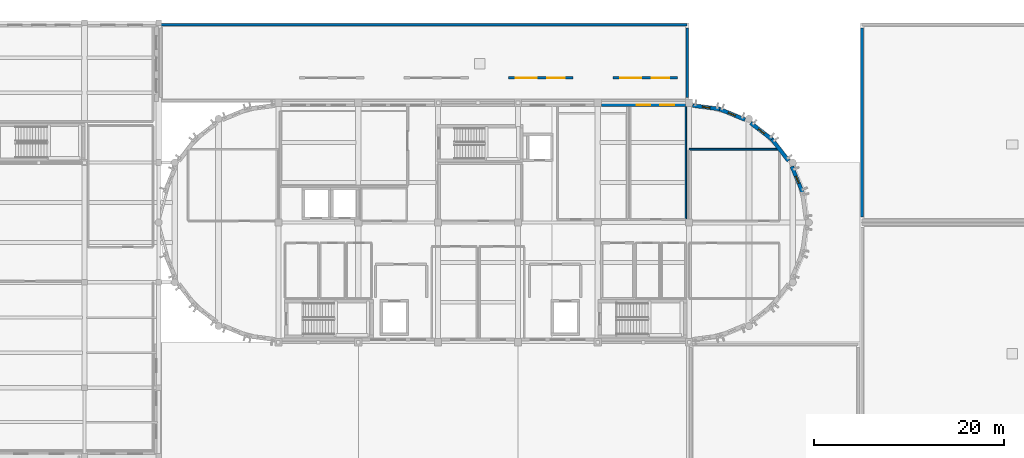
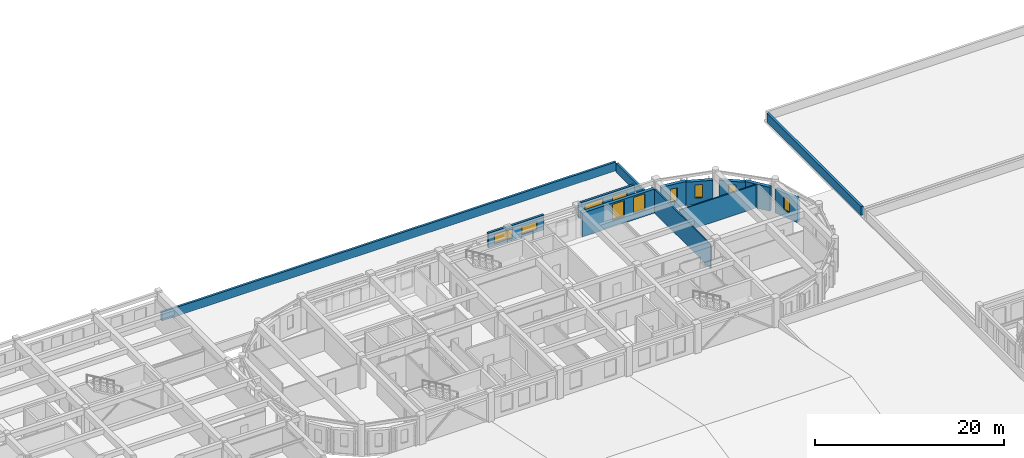
# One storey, part 25 of 46: 13 walls, 10 windows, 10 openings.
"""IFC4 building model written with IfcOpenShell, lengths in metres."""

from ifc_helpers import new_model, si_unit, direction, frame, frame_2d, origin, place, context, subcontext, project, spatial, rectangle, extrude, material, layer, layer_set, type_object, element, fill, save


model = new_model("IFC4")

# Units and contexts
model_context = context("Model", 3, precision=1e-05, world=origin(), true_north=direction((0.0, 1.0)))
body_context = subcontext(model_context, "Body", "Model", "MODEL_VIEW")
ifc_project = project(units=[si_unit("LENGTHUNIT", "METRE"), si_unit("AREAUNIT", "SQUARE_METRE"), si_unit("VOLUMEUNIT", "CUBIC_METRE"), si_unit("PLANEANGLEUNIT", "RADIAN"), si_unit("MASSUNIT", "GRAM", prefix="KILO")], contexts=[model_context])

# Site, building, storey
site_placement = place(None, origin())
site = spatial("IfcSite", under=ifc_project, at=site_placement, CompositionType="ELEMENT")
building_placement = place(site_placement, origin())
building = spatial("IfcBuilding", under=site, at=building_placement, Name="Tarnavel Promenade Courthouse", CompositionType="ELEMENT")
storey_placement = place(building_placement, frame((0.0, 0.0, 14.39990234375)))
storey = spatial("IfcBuildingStorey", under=building, at=storey_placement, Name="L04", CompositionType="ELEMENT", Elevation=14.39990234375)

# Walls
ifc_material_1 = material(Name="Acoustic Insulated Gypsum Stud Partition", Category="gypsum")
ifc_layer_1 = layer(ifc_material_1, 0.1650390625)
ifc_layer_set_1 = layer_set([ifc_layer_1], Name="Acoustic Insulated Gypsum Stud Partition")
wall_type_1 = type_object("IfcWallType", Name="Acoustic Insulated Gypsum Stud Partition WL-CHM-165 (165 mm)", PredefinedType="PARTITIONING", material=ifc_layer_set_1)
wall_1_placement = place(storey_placement, frame((101.659912109375, 103.98095703125, 0.0), z_axis=(0.0, 0.0, 1.0), x_axis=(0.0, -1.0, 0.0)))
element("IfcWall", 1, at=wall_1_placement, inside=storey, type_object=wall_type_1, Name="L04 Jury Room L04 Partition 0637", PredefinedType="PARTITIONING", context=body_context, shape_type="SweptSolid", body=[
    extrude(rectangle(XDim=11.79833984375, YDim=0.1650390625, at=frame_2d((5.899169921875, 0.0))), origin(), (0.0, 0.0, 1.0), 3.090087890625),
])
wall_2_placement = place(storey_placement, frame((102.0, 99.5, 0.0), z_axis=(0.0, 0.0, 1.0), x_axis=(1.0, 0.0, 0.0)))
element("IfcWall", 2, at=wall_2_placement, inside=storey, type_object=wall_type_1, Name="L04 L04 East Drum Rotunda Jury North Partition 0648", PredefinedType="PARTITIONING", context=body_context, shape_type="SweptSolid", body=[
    extrude(rectangle(XDim=9.5, YDim=0.1650390625, at=frame_2d((4.75, 0.0))), origin(), (0.0, 0.0, 1.0), 2.989990234375),
])
ifc_material_2 = material(Name="Concrete C35/45", Category="concrete")
ifc_layer_2 = layer(ifc_material_2, 0.264892578125)
ifc_layer_set_2 = layer_set([ifc_layer_2], Name="Concrete C35/45")
wall_type_2 = type_object("IfcWallType", Name="Concrete C35/45 WL-PAR-265 (265 mm)", PredefinedType="PARAPET", material=ifc_layer_set_2)
wall_3_placement = place(storey_placement, frame((46.39990234375, 112.60009765625, 0.235107421875), z_axis=(0.0, 0.0, 1.0), x_axis=(1.0, 0.0, 0.0)))
element("IfcWall", 3, at=wall_3_placement, inside=storey, type_object=wall_type_2, Name="L04 North Foyer Roof Parapet North 0462", PredefinedType="PARAPET", context=body_context, shape_type="SweptSolid", body=[
    extrude(rectangle(XDim=55.400146484375, YDim=0.264892578125, at=frame_2d((27.7001953125, 0.0))), origin(), (0.0, 0.0, 1.0), 1.14501953125),
])
wall_4_placement = place(storey_placement, frame((101.800048828125, 112.25, 0.235107421875), z_axis=(0.0, 0.0, 1.0), x_axis=(0.0, -1.0, 0.0)))
element("IfcWall", 4, at=wall_4_placement, inside=storey, type_object=wall_type_2, Name="L04 North Foyer Roof Parapet East 0465", PredefinedType="PARAPET", context=body_context, shape_type="SweptSolid", body=[
    extrude(rectangle(XDim=7.300048828125, YDim=0.264892578125, at=frame_2d((3.64990234375, 0.0))), origin(), (0.0, 0.0, 1.0), 1.14501953125),
])

# Wall, openings, windows
wall_5_placement = place(storey_placement, frame((83.0, 107.0, 0.235107421875), z_axis=(0.0, 0.0, 1.0), x_axis=(1.0, 0.0, 0.0)))
wall_5 = element("IfcWall", 5, at=wall_5_placement, inside=storey, type_object=wall_type_2, Name="L04 North Foyer Skylight Lantern Curb 3 0480", PredefinedType="PARAPET", context=body_context, shape_type="SweptSolid", body=[
    extrude(rectangle(XDim=6.800048828125, YDim=0.264892578125, at=frame_2d((3.39990234375, 0.0))), origin(), (0.0, 0.0, 1.0), 1.9150390625),
])
opening_1_placement = place(wall_5_placement, frame((0.75, 0.0, 0.300048828125)))
opening_1 = element("IfcOpeningElement", 6, at=opening_1_placement, cuts=wall_5, Name="Opening SK-01", PredefinedType="OPENING", context=body_context, shape_type="SweptSolid", body=[
    extrude(rectangle(XDim=2.199951171875, YDim=1.199951171875, at=frame_2d((1.10009765625, 0.60009765625))), frame((0.0, 0.142333984375, 0.0), z_axis=(0.0, -1.0, 0.0), x_axis=(1.0, 0.0, 0.0)), (0.0, 0.0, 1.0), 0.284912109375),
])
opening_2_placement = place(wall_5_placement, frame((4.10009765625, 0.0, 0.300048828125)))
opening_2 = element("IfcOpeningElement", 7, at=opening_2_placement, cuts=wall_5, Name="Opening SK-02", PredefinedType="OPENING", context=body_context, shape_type="SweptSolid", body=[
    extrude(rectangle(XDim=1.800048828125, YDim=1.050048828125, at=frame_2d((0.89990234375, 0.52490234375))), frame((0.0, 0.142333984375, 0.0), z_axis=(0.0, -1.0, 0.0), x_axis=(1.0, 0.0, 0.0)), (0.0, 0.0, 1.0), 0.284912109375),
])
ifc_material_3 = material(Name="Triple Low-E Glazed Bronze-Clad Window Assembly")
window_type_1 = type_object("IfcWindowType", Name="Triple-Glazed Bronze-Clad Timber-Aluminium SKY-LAN-1800x1050", PartitioningType="SINGLE_PANEL", PredefinedType="SKYLIGHT", material=ifc_material_3)
window_1_placement = place(opening_2_placement, origin())
window_1 = element("IfcWindow", 8, at=window_1_placement, inside=storey, type_object=window_type_1, Name="Daylight Lantern Skylight 3B", OverallHeight=1.050048828125, OverallWidth=1.800048828125, PartitioningType="SINGLE_PANEL", PredefinedType="SKYLIGHT", context=body_context, shape_type="SweptSolid", body=[
    extrude(rectangle(XDim=1.800048828125, YDim=1.050048828125, at=frame_2d((0.89990234375, 0.52490234375))), frame((0.0, 0.030029296875, 0.0), z_axis=(0.0, -1.0, 0.0), x_axis=(1.0, 0.0, 0.0)), (0.0, 0.0, 1.0), 0.06005859375),
])
fill(opening_2, window_1)
window_type_2 = type_object("IfcWindowType", Name="Triple-Glazed Bronze-Clad Timber-Aluminium SKY-LAN-2200x1200", PartitioningType="SINGLE_PANEL", PredefinedType="SKYLIGHT", material=ifc_material_3)
window_2_placement = place(opening_1_placement, origin())
window_2 = element("IfcWindow", 9, at=window_2_placement, inside=storey, type_object=window_type_2, Name="Daylight Lantern Skylight 3A", OverallHeight=1.199951171875, OverallWidth=2.199951171875, PartitioningType="SINGLE_PANEL", PredefinedType="SKYLIGHT", context=body_context, shape_type="SweptSolid", body=[
    extrude(rectangle(XDim=2.199951171875, YDim=1.199951171875, at=frame_2d((1.10009765625, 0.60009765625))), frame((0.0, 0.030029296875, 0.0), z_axis=(0.0, -1.0, 0.0), x_axis=(1.0, 0.0, 0.0)), (0.0, 0.0, 1.0), 0.06005859375),
])
fill(opening_1, window_2)

wall_6_placement = place(storey_placement, frame((94.0, 107.0, 0.235107421875), z_axis=(0.0, 0.0, 1.0), x_axis=(1.0, 0.0, 0.0)))
wall_6 = element("IfcWall", 10, at=wall_6_placement, inside=storey, type_object=wall_type_2, Name="L04 North Foyer Skylight Lantern Curb 4 0481", PredefinedType="PARAPET", context=body_context, shape_type="SweptSolid", body=[
    extrude(rectangle(XDim=6.800048828125, YDim=0.264892578125, at=frame_2d((3.39990234375, 0.0))), origin(), (0.0, 0.0, 1.0), 1.9150390625),
])
opening_3_placement = place(wall_6_placement, frame((0.75, 0.0, 0.300048828125)))
opening_3 = element("IfcOpeningElement", 11, at=opening_3_placement, cuts=wall_6, Name="Opening SK-01", PredefinedType="OPENING", context=body_context, shape_type="SweptSolid", body=[
    extrude(rectangle(XDim=2.199951171875, YDim=1.199951171875, at=frame_2d((1.10009765625, 0.60009765625))), frame((0.0, 0.142333984375, 0.0), z_axis=(0.0, -1.0, 0.0), x_axis=(1.0, 0.0, 0.0)), (0.0, 0.0, 1.0), 0.284912109375),
])
opening_4_placement = place(wall_6_placement, frame((4.10009765625, 0.0, 0.300048828125)))
opening_4 = element("IfcOpeningElement", 12, at=opening_4_placement, cuts=wall_6, Name="Opening SK-02", PredefinedType="OPENING", context=body_context, shape_type="SweptSolid", body=[
    extrude(rectangle(XDim=1.800048828125, YDim=1.050048828125, at=frame_2d((0.89990234375, 0.52490234375))), frame((0.0, 0.142333984375, 0.0), z_axis=(0.0, -1.0, 0.0), x_axis=(1.0, 0.0, 0.0)), (0.0, 0.0, 1.0), 0.284912109375),
])
window_3_placement = place(opening_4_placement, origin())
window_3 = element("IfcWindow", 13, at=window_3_placement, inside=storey, type_object=window_type_1, Name="Daylight Lantern Skylight 4B", OverallHeight=1.050048828125, OverallWidth=1.800048828125, PartitioningType="SINGLE_PANEL", PredefinedType="SKYLIGHT", context=body_context, shape_type="SweptSolid", body=[
    extrude(rectangle(XDim=1.800048828125, YDim=1.050048828125, at=frame_2d((0.89990234375, 0.52490234375))), frame((0.0, 0.030029296875, 0.0), z_axis=(0.0, -1.0, 0.0), x_axis=(1.0, 0.0, 0.0)), (0.0, 0.0, 1.0), 0.06005859375),
])
fill(opening_4, window_3)
window_4_placement = place(opening_3_placement, origin())
window_4 = element("IfcWindow", 14, at=window_4_placement, inside=storey, type_object=window_type_2, Name="Daylight Lantern Skylight 4A", OverallHeight=1.199951171875, OverallWidth=2.199951171875, PartitioningType="SINGLE_PANEL", PredefinedType="SKYLIGHT", context=body_context, shape_type="SweptSolid", body=[
    extrude(rectangle(XDim=2.199951171875, YDim=1.199951171875, at=frame_2d((1.10009765625, 0.60009765625))), frame((0.0, 0.030029296875, 0.0), z_axis=(0.0, -1.0, 0.0), x_axis=(1.0, 0.0, 0.0)), (0.0, 0.0, 1.0), 0.06005859375),
])
fill(opening_3, window_4)

# Wall
ifc_layer_3 = layer(ifc_material_2, 0.2900390625)
ifc_layer_set_3 = layer_set([ifc_layer_3], Name="Concrete C35/45")
wall_type_3 = type_object("IfcWallType", Name="Concrete C35/45 WL-PAR-290 (290 mm)", PredefinedType="PARAPET", material=ifc_layer_set_3)
wall_7_placement = place(storey_placement, frame((120.199951171875, 92.35009765625, 0.26513671875), z_axis=(0.0, 0.0, 1.0), x_axis=(0.0, 1.0, 0.0)))
element("IfcWall", 15, at=wall_7_placement, inside=storey, type_object=wall_type_3, Name="L04 Custody North Roof Parapet West 0460", PredefinedType="PARAPET", context=body_context, shape_type="SweptSolid", body=[
    extrude(rectangle(XDim=19.89990234375, YDim=0.2900390625, at=frame_2d((9.949951171875, 0.0))), origin(), (0.0, 0.0, 1.0), 1.135009765625),
])

# Wall, openings, windows
ifc_material_4 = material(Name="Cream Brick Insulated Cavity Facade Assembly", Category="masonry")
ifc_layer_4 = layer(ifc_material_4, 0.409912109375)
ifc_layer_set_4 = layer_set([ifc_layer_4], Name="Cream Brick Insulated Cavity Facade Assembly")
wall_type_4 = type_object("IfcWallType", Name="Cream Brick Insulated Cavity Facade Assembly WL-EXT-410 (410 mm)", PredefinedType="STANDARD", material=ifc_layer_set_4)
wall_8_placement = place(storey_placement, frame((92.76708984375, 104.179931640625, 0.0), z_axis=(0.0, 0.0, 1.0), x_axis=(1.0, 0.0, 0.0)))
wall_8 = element("IfcWall", 16, at=wall_8_placement, inside=storey, type_object=wall_type_4, Name="L04 Bar North Limestone Facade 0078", PredefinedType="STANDARD", context=body_context, shape_type="SweptSolid", body=[
    extrude(rectangle(XDim=8.865966796875, YDim=0.409912109375, at=frame_2d((4.43310546875, 0.0))), origin(), (0.0, 0.0, 1.0), 3.090087890625),
])
opening_5_placement = place(wall_8_placement, frame((3.7080078125, 0.0, 0.85009765625)))
opening_5 = element("IfcOpeningElement", 17, at=opening_5_placement, cuts=wall_8, Name="Opening W-03", PredefinedType="OPENING", context=body_context, shape_type="SweptSolid", body=[
    extrude(rectangle(XDim=1.449951171875, YDim=2.050048828125, at=frame_2d((0.72509765625, 1.02490234375))), frame((0.0, 0.21484375, 0.0), z_axis=(0.0, -1.0, 0.0), x_axis=(1.0, 0.0, 0.0)), (0.0, 0.0, 1.0), 0.429931640625),
])
opening_6_placement = place(wall_8_placement, frame((6.22119140625, 0.0, 0.85009765625)))
opening_6 = element("IfcOpeningElement", 18, at=opening_6_placement, cuts=wall_8, Name="Opening W-03", PredefinedType="OPENING", context=body_context, shape_type="SweptSolid", body=[
    extrude(rectangle(XDim=1.449951171875, YDim=2.050048828125, at=frame_2d((0.72509765625, 1.02490234375))), frame((0.0, 0.21484375, 0.0), z_axis=(0.0, -1.0, 0.0), x_axis=(1.0, 0.0, 0.0)), (0.0, 0.0, 1.0), 0.429931640625),
])
window_type_3 = type_object("IfcWindowType", Name="Triple-Glazed Bronze-Clad Timber-Aluminium WIN-APP-1450x2050", PartitioningType="SINGLE_PANEL", PredefinedType="WINDOW", material=ifc_material_3)
window_5_placement = place(opening_5_placement, origin())
window_5 = element("IfcWindow", 19, at=window_5_placement, inside=storey, type_object=window_type_3, Name="L04 Exterior Window 0055", OverallHeight=2.050048828125, OverallWidth=1.449951171875, PartitioningType="SINGLE_PANEL", PredefinedType="WINDOW", context=body_context, shape_type="SweptSolid", body=[
    extrude(rectangle(XDim=1.449951171875, YDim=2.050048828125, at=frame_2d((0.72509765625, 1.02490234375))), frame((0.0, 0.030029296875, 0.0), z_axis=(0.0, -1.0, 0.0), x_axis=(1.0, 0.0, 0.0)), (0.0, 0.0, 1.0), 0.06005859375),
])
fill(opening_5, window_5)
window_6_placement = place(opening_6_placement, origin())
window_6 = element("IfcWindow", 20, at=window_6_placement, inside=storey, type_object=window_type_3, Name="L04 Exterior Window 0056", OverallHeight=2.050048828125, OverallWidth=1.449951171875, PartitioningType="SINGLE_PANEL", PredefinedType="WINDOW", context=body_context, shape_type="SweptSolid", body=[
    extrude(rectangle(XDim=1.449951171875, YDim=2.050048828125, at=frame_2d((0.72509765625, 1.02490234375))), frame((0.0, 0.030029296875, 0.0), z_axis=(0.0, -1.0, 0.0), x_axis=(1.0, 0.0, 0.0)), (0.0, 0.0, 1.0), 0.06005859375),
])
fill(opening_6, window_6)

# Wall, opening, window
ifc_material_5 = material(Name="Patinated Copper-Bronze Insulated Drum Wall Assembly", Category="masonry")
ifc_layer_5 = layer(ifc_material_5, 0.39501953125)
ifc_layer_set_5 = layer_set([ifc_layer_5], Name="Patinated Copper-Bronze Insulated Drum Wall Assembly")
wall_type_5 = type_object("IfcWallType", Name="Patinated Copper-Bronze Insulated Drum Wall Assembly WL-DRUM-395 (395 mm)", PredefinedType="ELEMENTEDWALL", material=ifc_layer_set_5)
wall_9_placement = place(storey_placement, frame((113.939697265625, 94.965576171875, 0.0), z_axis=(0.0, 0.0, 1.0), x_axis=(-0.38273224698, 0.923859311325, 0.0)))
wall_9 = element("IfcWall", 21, at=wall_9_placement, inside=storey, type_object=wall_type_5, Name="L04 E Copper Drum Chord Wall 08 0101", PredefinedType="ELEMENTEDWALL", context=body_context, shape_type="SweptSolid", body=[
    extrude(rectangle(XDim=2.947021484375, YDim=0.39501953125, at=frame_2d((1.4736328125, 0.0))), origin(), (0.0, 0.0, 1.0), 3.090087890625),
])
opening_7_placement = place(wall_9_placement, frame((1.037109375, 0.0, 0.85009765625)))
opening_7 = element("IfcOpeningElement", 22, at=opening_7_placement, cuts=wall_9, Name="Opening W-09", PredefinedType="OPENING", context=body_context, shape_type="SweptSolid", body=[
    extrude(rectangle(XDim=0.800048828125, YDim=1.699951171875, at=frame_2d((0.39990234375, 0.85009765625))), frame((0.0, 0.20751953125, 0.0), z_axis=(0.0, -1.0, 0.0), x_axis=(1.0, 0.0, 0.0)), (0.0, 0.0, 1.0), 0.4150390625),
])
window_type_4 = type_object("IfcWindowType", Name="Triple-Glazed Bronze-Clad Timber-Aluminium WIN-DRM-0800x1700", PartitioningType="SINGLE_PANEL", PredefinedType="WINDOW", material=ifc_material_3)
window_7_placement = place(opening_7_placement, origin())
window_7 = element("IfcWindow", 23, at=window_7_placement, inside=storey, type_object=window_type_4, Name="L04 Exterior Window 0078", OverallHeight=1.699951171875, OverallWidth=0.800048828125, PartitioningType="SINGLE_PANEL", PredefinedType="WINDOW", context=body_context, shape_type="SweptSolid", body=[
    extrude(rectangle(XDim=0.800048828125, YDim=1.699951171875, at=frame_2d((0.39990234375, 0.85009765625))), frame((0.0, 0.030029296875, 0.0), z_axis=(0.0, -1.0, 0.0), x_axis=(1.0, 0.0, 0.0)), (0.0, 0.0, 1.0), 0.06005859375),
])
fill(opening_7, window_7)

# Wall
wall_10_placement = place(storey_placement, frame((112.4609375, 98.277099609375, 0.0), z_axis=(0.0, 0.0, 1.0), x_axis=(-0.608770300127, 0.793346533164, 0.0)))
element("IfcWall", 24, at=wall_10_placement, inside=storey, type_object=wall_type_5, Name="L04 E Copper Drum Chord Wall 09 0102", PredefinedType="ELEMENTEDWALL", context=body_context, shape_type="SweptSolid", body=[
    extrude(rectangle(XDim=2.874267578125, YDim=0.39501953125, at=frame_2d((1.43701171875, 0.0))), origin(), (0.0, 0.0, 1.0), 3.090087890625),
])

# Wall, opening, window
wall_11_placement = place(storey_placement, frame((110.75732421875, 100.51123046875, 0.0), z_axis=(0.0, 0.0, 1.0), x_axis=(-0.793346533164, 0.608770300127, 0.0)))
wall_11 = element("IfcWall", 25, at=wall_11_placement, inside=storey, type_object=wall_type_5, Name="L04 E Copper Drum Chord Wall 10 0103", PredefinedType="ELEMENTEDWALL", context=body_context, shape_type="SweptSolid", body=[
    extrude(rectangle(XDim=2.874267578125, YDim=0.39501953125, at=frame_2d((1.43701171875, 0.0))), origin(), (0.0, 0.0, 1.0), 2.989990234375),
])
opening_8_placement = place(wall_11_placement, frame((1.037109375, 0.0, 0.85009765625)))
opening_8 = element("IfcOpeningElement", 26, at=opening_8_placement, cuts=wall_11, Name="Opening W-09", PredefinedType="OPENING", context=body_context, shape_type="SweptSolid", body=[
    extrude(rectangle(XDim=0.800048828125, YDim=1.699951171875, at=frame_2d((0.39990234375, 0.85009765625))), frame((0.0, 0.20751953125, 0.0), z_axis=(0.0, -1.0, 0.0), x_axis=(1.0, 0.0, 0.0)), (0.0, 0.0, 1.0), 0.4150390625),
])
window_8_placement = place(opening_8_placement, origin())
window_8 = element("IfcWindow", 27, at=window_8_placement, inside=storey, type_object=window_type_4, Name="L04 Exterior Window 0079", OverallHeight=1.699951171875, OverallWidth=0.800048828125, PartitioningType="SINGLE_PANEL", PredefinedType="WINDOW", context=body_context, shape_type="SweptSolid", body=[
    extrude(rectangle(XDim=0.800048828125, YDim=1.699951171875, at=frame_2d((0.39990234375, 0.85009765625))), frame((0.0, 0.030029296875, 0.0), z_axis=(0.0, -1.0, 0.0), x_axis=(1.0, 0.0, 0.0)), (0.0, 0.0, 1.0), 0.06005859375),
])
fill(opening_8, window_8)

wall_12_placement = place(storey_placement, frame((107.888427734375, 102.61181640625, 0.0), z_axis=(0.0, 0.0, 1.0), x_axis=(-0.923871445027, 0.382702956696, 0.0)))
wall_12 = element("IfcWall", 28, at=wall_12_placement, inside=storey, type_object=wall_type_5, Name="L04 E Copper Drum Chord Wall 11 0104", PredefinedType="ELEMENTEDWALL", context=body_context, shape_type="SweptSolid", body=[
    extrude(rectangle(XDim=2.947265625, YDim=0.39501953125, at=frame_2d((1.4736328125, 0.0))), origin(), (0.0, 0.0, 1.0), 2.989990234375),
])
opening_9_placement = place(wall_12_placement, frame((1.110107421875, 0.0, 0.85009765625)))
opening_9 = element("IfcOpeningElement", 29, at=opening_9_placement, cuts=wall_12, Name="Opening W-09", PredefinedType="OPENING", context=body_context, shape_type="SweptSolid", body=[
    extrude(rectangle(XDim=0.800048828125, YDim=1.699951171875, at=frame_2d((0.39990234375, 0.85009765625))), frame((0.0, 0.20751953125, 0.0), z_axis=(0.0, -1.0, 0.0), x_axis=(1.0, 0.0, 0.0)), (0.0, 0.0, 1.0), 0.4150390625),
])
window_9_placement = place(opening_9_placement, origin())
window_9 = element("IfcWindow", 30, at=window_9_placement, inside=storey, type_object=window_type_4, Name="L04 Exterior Window 0080", OverallHeight=1.699951171875, OverallWidth=0.800048828125, PartitioningType="SINGLE_PANEL", PredefinedType="WINDOW", context=body_context, shape_type="SweptSolid", body=[
    extrude(rectangle(XDim=0.800048828125, YDim=1.699951171875, at=frame_2d((0.39990234375, 0.85009765625))), frame((0.0, 0.030029296875, 0.0), z_axis=(0.0, -1.0, 0.0), x_axis=(1.0, 0.0, 0.0)), (0.0, 0.0, 1.0), 0.06005859375),
])
fill(opening_9, window_9)

wall_13_placement = place(storey_placement, frame((105.228515625, 103.722900390625, 0.0), z_axis=(0.0, 0.0, 1.0), x_axis=(-0.991451982445, 0.130472090904, 0.0)))
wall_13 = element("IfcWall", 31, at=wall_13_placement, inside=storey, type_object=wall_type_5, Name="L04 E Copper Drum Chord Wall 12 0105", PredefinedType="ELEMENTEDWALL", context=body_context, shape_type="SweptSolid", body=[
    extrude(rectangle(XDim=2.874267578125, YDim=0.39501953125, at=frame_2d((1.43701171875, 0.0))), origin(), (0.0, 0.0, 1.0), 3.090087890625),
])
opening_10_placement = place(wall_13_placement, frame((1.037109375, 0.0, 0.85009765625)))
opening_10 = element("IfcOpeningElement", 32, at=opening_10_placement, cuts=wall_13, Name="Opening W-09", PredefinedType="OPENING", context=body_context, shape_type="SweptSolid", body=[
    extrude(rectangle(XDim=0.800048828125, YDim=1.699951171875, at=frame_2d((0.39990234375, 0.85009765625))), frame((0.0, 0.20751953125, 0.0), z_axis=(0.0, -1.0, 0.0), x_axis=(1.0, 0.0, 0.0)), (0.0, 0.0, 1.0), 0.4150390625),
])
window_10_placement = place(opening_10_placement, origin())
window_10 = element("IfcWindow", 33, at=window_10_placement, inside=storey, type_object=window_type_4, Name="L04 Exterior Window 0081", OverallHeight=1.699951171875, OverallWidth=0.800048828125, PartitioningType="SINGLE_PANEL", PredefinedType="WINDOW", context=body_context, shape_type="SweptSolid", body=[
    extrude(rectangle(XDim=0.800048828125, YDim=1.699951171875, at=frame_2d((0.39990234375, 0.85009765625))), frame((0.0, 0.030029296875, 0.0), z_axis=(0.0, -1.0, 0.0), x_axis=(1.0, 0.0, 0.0)), (0.0, 0.0, 1.0), 0.06005859375),
])
fill(opening_10, window_10)

save(model, "model.ifc")
